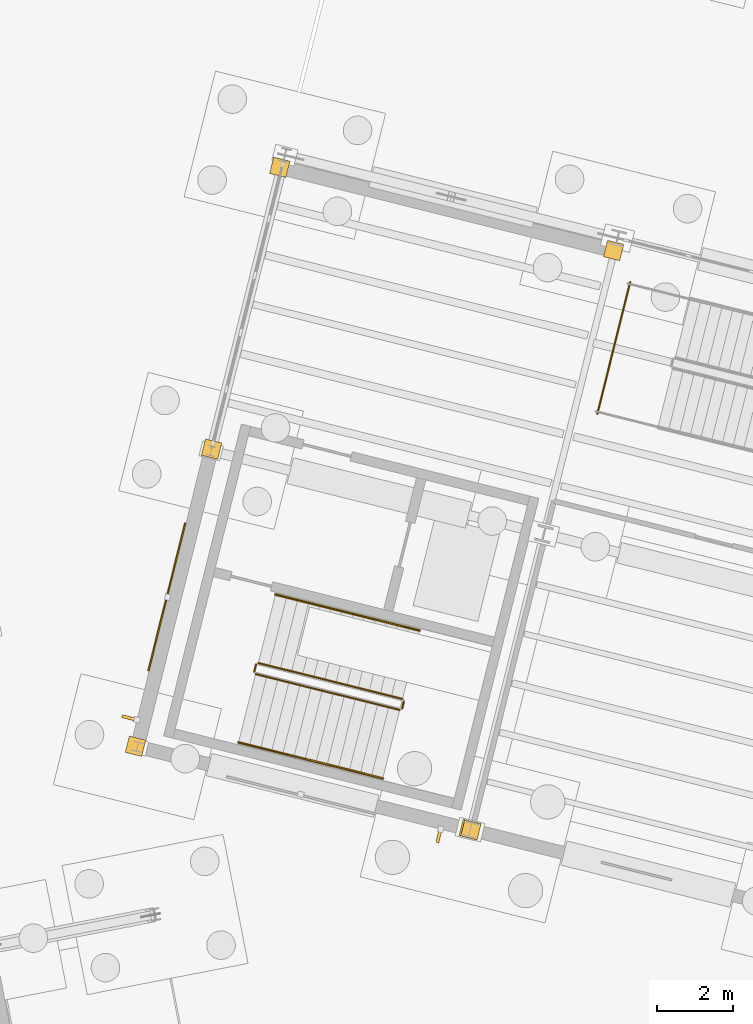
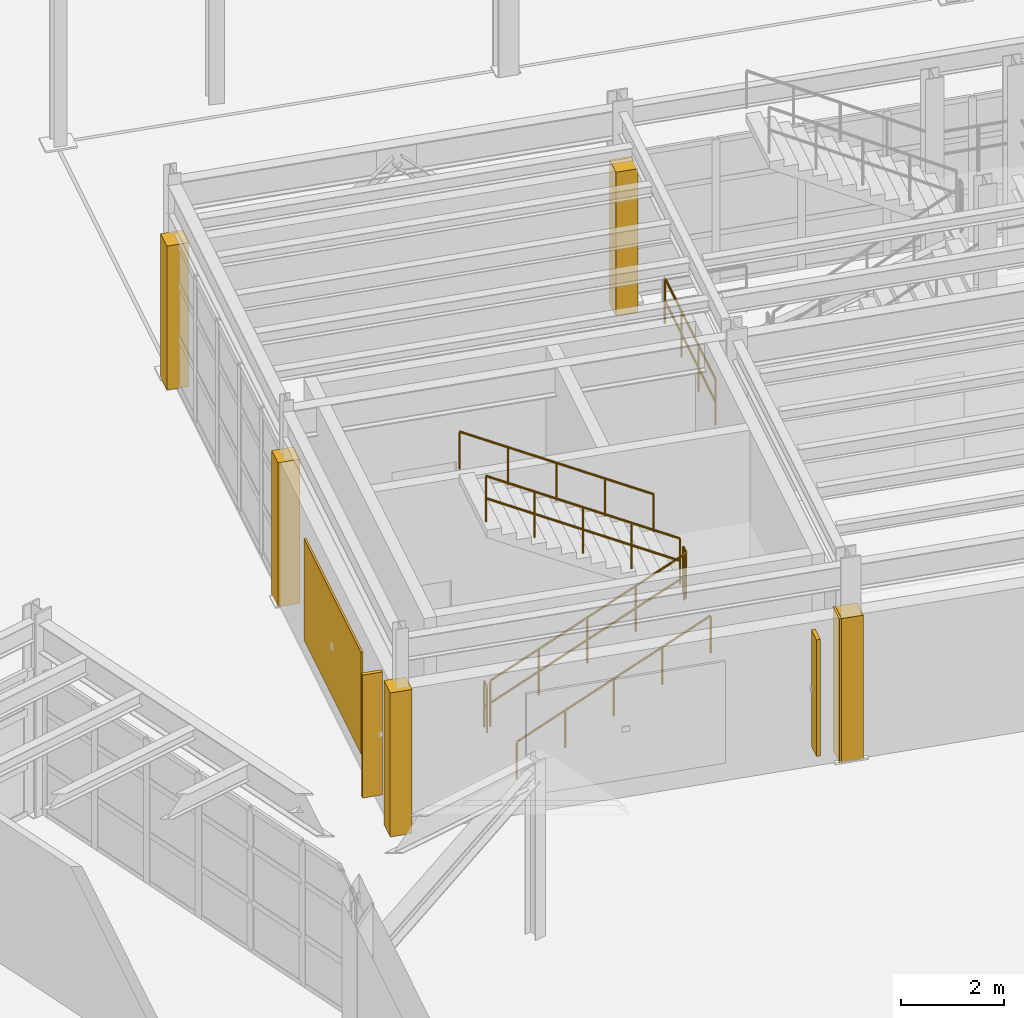
# One storey, part 100 of 108: 7 coverings, 7 railings, 2 shading devices.
"""IFC4 building model written with IfcOpenShell, lengths in metres."""

from ifc_helpers import new_model, si_unit, direction, frame, origin, origin_2d, place, context, subcontext, project, spatial, rectangle, circle, extrude, material, layer, layer_set, type_object, element, save


model = new_model("IFC4")

# Units and contexts
model_context = context("Model", 3, precision=1e-05, world=origin(), true_north=direction((0.0, 1.0)))
body_context = subcontext(model_context, "Body", "Model", "MODEL_VIEW")
ifc_project = project(units=[si_unit("LENGTHUNIT", "METRE"), si_unit("AREAUNIT", "SQUARE_METRE"), si_unit("VOLUMEUNIT", "CUBIC_METRE"), si_unit("PLANEANGLEUNIT", "RADIAN"), si_unit("MASSUNIT", "GRAM", prefix="KILO")], contexts=[model_context])

# Site, building, storey
site_placement = place(None, origin())
site = spatial("IfcSite", under=ifc_project, at=site_placement, CompositionType="ELEMENT")
building_placement = place(site_placement, origin())
building = spatial("IfcBuilding", under=site, at=building_placement, Name="Vireo Bluff Cable Station", CompositionType="ELEMENT")
storey_placement = place(building_placement, origin())
storey = spatial("IfcBuildingStorey", under=building, at=storey_placement, Name="L00", CompositionType="ELEMENT", Elevation=0.0)

# Coverings
ifc_material_1 = material(Name="Standing-Seam Titanium-Zinc Cladding")
ifc_layer_1 = layer(ifc_material_1, 0.0400390625, Name="Standing-Seam Titanium-Zinc Cladding")
ifc_layer_set_1 = layer_set([ifc_layer_1], Name="Standing-Seam Titanium-Zinc Cladding")
covering_type_1 = type_object("IfcCoveringType", Name="CLADDING-ZINC-40", PredefinedType="CLADDING", material=ifc_layer_set_1)
covering_placement = place(storey_placement, frame((54.773681640625, 41.929443359375, 0.449951171875), z_axis=(0.0, 0.0, 1.0), x_axis=(0.241921826573, 0.970295743486, 0.0)))
element("IfcCovering", 1, at=covering_placement, inside=storey, type_object=covering_type_1, Name="V1 L00 ribbed zinc cladding panel 2", PredefinedType="CLADDING", context=body_context, shape_type="SweptSolid", body=[
    extrude(rectangle(XDim=4.0, YDim=0.0400390625, at=origin_2d()), origin(), (0.0, 0.0, 1.0), 2.39990234375),
])
ifc_material_2 = material(Name="Precast concrete f'c 45 MPa", Category="concrete")
ifc_layer_2 = layer(ifc_material_2, 0.0400390625, Name="Precast concrete f'c 45 MPa")
ifc_layer_set_2 = layer_set([ifc_layer_2], Name="Precast concrete f'c 45 MPa")
covering_type_2 = type_object("IfcCoveringType", Name="COL-CLOSURE-WRAP", PredefinedType="CLADDING", material=ifc_layer_set_2)
for number, where, z_axis, x_axis, name in (
    (2, (62.75439453125, 35.817138671875, 0.0), (0.0, 0.0, 1.0), (0.970295726276, -0.2419218956, 0.0), "V1 L00 column pocket closure"),
    (3, (62.7109375, 35.828125, 0.0), (0.0, 0.0, 1.0), (0.970295726276, -0.2419218956, 0.0), "V1 L00 column pocket closure"),
    (4, (53.950927734375, 38.01220703125, 0.0), (0.0, 0.0, 1.0), (0.970295726276, -0.2419218956, 0.0), "V1 L00 column pocket closure"),
    (5, (55.947265625, 45.810302734375, 0.0), (0.0, 0.0, 1.0), (0.970295726276, -0.2419218956, 0.0), "V1 L00 column pocket closure"),
    (6, (57.739013671875, 53.207275390625, 0.0), (0.0, 0.0, 1.0), (0.970295726276, -0.2419218956, 0.0), "V1 L00 column pocket closure"),
    (7, (66.499267578125, 51.02294921875, 0.0), (0.0, 0.0, 1.0), (0.970295726276, -0.2419218956, 0.0), "V1 L00 column pocket closure"),
):
    element("IfcCovering", number, at=place(storey_placement, frame(where, z_axis=z_axis, x_axis=x_axis)), inside=storey, type_object=covering_type_2, Name=name, PredefinedType="CLADDING", context=body_context, shape_type="SweptSolid", body=[
        extrude(rectangle(XDim=0.43994140625, YDim=0.43994140625, at=origin_2d()), origin(), (0.0, 0.0, 1.0), 3.39990234375),
    ])

# Shading devices
ifc_material_3 = material(Name="Extruded Terracotta Solar Fin", Category="masonry")
shading_device_type_1 = type_object("IfcShadingDeviceType", Name="SOLARFIN-360X2750", PredefinedType="SHUTTER", material=ifc_material_3)
shading_device_1_placement = place(storey_placement, frame((61.916748046875, 35.660400390625, 0.47509765625), z_axis=(0.0, 0.0, 1.0), x_axis=(-0.970295730384, 0.241921879122, 0.0)))
element("IfcShadingDevice", 8, at=shading_device_1_placement, inside=storey, type_object=shading_device_type_1, Name="V1 L00 solar brise-soleil fin 1", PredefinedType="SHUTTER", context=body_context, shape_type="SweptSolid", body=[
    extrude(rectangle(XDim=0.080078125, YDim=0.360107421875, at=origin_2d()), origin(), (0.0, 0.0, 1.0), 2.75),
])
shading_device_type_2 = type_object("IfcShadingDeviceType", Name="SOLARFIN-400X2900", PredefinedType="SHUTTER", material=ifc_material_3)
shading_device_2_placement = place(storey_placement, frame((53.7958984375, 38.751708984375, 0.400146484375), z_axis=(0.0, 0.0, 1.0), x_axis=(0.241921826573, 0.970295743486, 0.0)))
element("IfcShadingDevice", 9, at=shading_device_2_placement, inside=storey, type_object=shading_device_type_2, Name="V1 L00 solar brise-soleil fin 2", PredefinedType="SHUTTER", context=body_context, shape_type="SweptSolid", body=[
    extrude(rectangle(XDim=0.080078125, YDim=0.39990234375, at=origin_2d()), origin(), (0.0, 0.0, 1.0), 2.89990234375),
])

# Railings
ifc_material_4 = material(Name="Stainless Steel 316", Category="steel")
railing_type_1 = type_object("IfcRailingType", Name="STAIR-GUARD-1100", PredefinedType="GUARDRAIL", material=ifc_material_4)
railing_1_placement = place(storey_placement, frame((57.103271484375, 39.90576171875, 0.17138671875)))
element("IfcRailing", 10, at=railing_1_placement, inside=storey, type_object=railing_type_1, Name="L00 ST-02 stair guard 1", PredefinedType="GUARDRAIL", context=body_context, shape_type="SweptSolid", body=[
    extrude(circle(Radius=0.02392578125, at=origin_2d()), frame((0.0, 0.0, 1.076171875), z_axis=(0.842464863979, -0.210018337704, 0.496130276026), x_axis=(0.241887473922, 0.970304307916, 0.0)), (0.0, 0.0, 1.0), 4.49169921875),
    extrude(circle(Radius=0.02392578125, at=origin_2d()), frame((0.0, 0.0, 0.550048828125), z_axis=(0.842464863979, -0.210018337704, 0.496130276026), x_axis=(0.241887473922, 0.970304307916, 0.0)), (0.0, 0.0, 1.0), 4.49169921875),
    extrude(circle(Radius=0.02099609375, at=origin_2d()), origin(), (0.0, 0.0, 1.0), 1.052001953125),
    extrude(circle(Radius=0.02099609375, at=origin_2d()), frame((0.946044921875, -0.23583984375, 0.55712890625)), (0.0, 0.0, 1.0), 1.052001953125),
    extrude(circle(Radius=0.02099609375, at=origin_2d()), frame((1.89208984375, -0.4716796875, 1.1142578125)), (0.0, 0.0, 1.0), 1.052001953125),
    extrude(circle(Radius=0.02099609375, at=origin_2d()), frame((2.838134765625, -0.70751953125, 1.67138671875)), (0.0, 0.0, 1.0), 1.052001953125),
    extrude(circle(Radius=0.02099609375, at=origin_2d()), frame((3.7841796875, -0.943359375, 2.228515625)), (0.0, 0.0, 1.0), 1.052001953125),
])
railing_2_placement = place(storey_placement, frame((60.947998046875, 38.998779296875, 2.39990234375)))
element("IfcRailing", 11, at=railing_2_placement, inside=storey, type_object=railing_type_1, Name="L00 ST-02 stair guard 2", PredefinedType="GUARDRAIL", context=body_context, shape_type="SweptSolid", body=[
    extrude(circle(Radius=0.02392578125, at=origin_2d()), frame((0.0, 0.0, 1.076171875), z_axis=(0.241673946692, 0.970357513234, 0.0), x_axis=(-0.970357513234, 0.241673946692, 0.0)), (0.0, 0.0, 1.0), 0.199951171875),
    extrude(circle(Radius=0.02392578125, at=origin_2d()), frame((0.0, 0.0, 0.550048828125), z_axis=(0.241673946692, 0.970357513234, 0.0), x_axis=(-0.970357513234, 0.241673946692, 0.0)), (0.0, 0.0, 1.0), 0.199951171875),
    extrude(circle(Radius=0.02099609375, at=origin_2d()), origin(), (0.0, 0.0, 1.0), 1.052001953125),
    extrude(circle(Radius=0.02099609375, at=origin_2d()), frame((0.04833984375, 0.194091796875, 0.0)), (0.0, 0.0, 1.0), 1.052001953125),
])
railing_3_placement = place(storey_placement, frame((60.9599609375, 39.25341796875, 2.571533203125)))
element("IfcRailing", 12, at=railing_3_placement, inside=storey, type_object=railing_type_1, Name="L00 ST-02 stair guard 3", PredefinedType="GUARDRAIL", context=body_context, shape_type="SweptSolid", body=[
    extrude(circle(Radius=0.02392578125, at=origin_2d()), frame((0.0, 0.0, 1.076171875), z_axis=(-0.842455246132, 0.210070292019, 0.496124612044), x_axis=(-0.241946410147, -0.970289613784, 0.0)), (0.0, 0.0, 1.0), 4.491943359375),
    extrude(circle(Radius=0.02392578125, at=origin_2d()), frame((0.0, 0.0, 0.550048828125), z_axis=(-0.842455246132, 0.210070292019, 0.496124612044), x_axis=(-0.241946410147, -0.970289613784, 0.0)), (0.0, 0.0, 1.0), 4.491943359375),
    extrude(circle(Radius=0.02099609375, at=origin_2d()), origin(), (0.0, 0.0, 1.0), 1.052001953125),
    extrude(circle(Radius=0.02099609375, at=origin_2d()), frame((-0.946044921875, 0.23583984375, 0.55712890625)), (0.0, 0.0, 1.0), 1.052001953125),
    extrude(circle(Radius=0.02099609375, at=origin_2d()), frame((-1.89208984375, 0.4716796875, 1.1142578125)), (0.0, 0.0, 1.0), 1.052001953125),
    extrude(circle(Radius=0.02099609375, at=origin_2d()), frame((-2.838134765625, 0.707763671875, 1.67138671875)), (0.0, 0.0, 1.0), 1.052001953125),
    extrude(circle(Radius=0.02099609375, at=origin_2d()), frame((-3.7841796875, 0.943603515625, 2.228515625)), (0.0, 0.0, 1.0), 1.052001953125),
])
railing_4_placement = place(storey_placement, frame((57.06689453125, 39.966552734375, 0.0)))
element("IfcRailing", 13, at=railing_4_placement, inside=storey, type_object=railing_type_1, Name="L00 ST-02 stair guard 4", PredefinedType="GUARDRAIL", context=body_context, shape_type="SweptSolid", body=[
    extrude(circle(Radius=0.02392578125, at=origin_2d()), frame((0.0, 0.0, 1.076171875), z_axis=(0.241673946692, 0.970357513234, 0.0), x_axis=(-0.970357513234, 0.241673946692, 0.0)), (0.0, 0.0, 1.0), 0.199951171875),
    extrude(circle(Radius=0.02392578125, at=origin_2d()), frame((0.0, 0.0, 0.550048828125), z_axis=(0.241673946692, 0.970357513234, 0.0), x_axis=(-0.970357513234, 0.241673946692, 0.0)), (0.0, 0.0, 1.0), 0.199951171875),
    extrude(circle(Radius=0.02099609375, at=origin_2d()), origin(), (0.0, 0.0, 1.0), 1.052001953125),
    extrude(circle(Radius=0.02099609375, at=origin_2d()), frame((0.04833984375, 0.194091796875, 0.0)), (0.0, 0.0, 1.0), 1.052001953125),
])
railing_5_placement = place(storey_placement, frame((66.07275390625, 46.739013671875, 0.0)))
element("IfcRailing", 14, at=railing_5_placement, inside=storey, type_object=railing_type_1, Name="L00 ST-10 stair guard 10", PredefinedType="GUARDRAIL", context=body_context, shape_type="SweptSolid", body=[
    extrude(circle(Radius=0.02392578125, at=origin_2d()), frame((0.0, 0.0, 1.076171875), z_axis=(0.241954658005, 0.970287557103, 0.0), x_axis=(-0.970287557103, 0.241954658005, 0.0)), (0.0, 0.0, 1.0), 3.559814453125),
    extrude(circle(Radius=0.02392578125, at=origin_2d()), frame((0.0, 0.0, 0.550048828125), z_axis=(0.241954658005, 0.970287557103, 0.0), x_axis=(-0.970287557103, 0.241954658005, 0.0)), (0.0, 0.0, 1.0), 3.559814453125),
    extrude(circle(Radius=0.02099609375, at=origin_2d()), origin(), (0.0, 0.0, 1.0), 1.052001953125),
    extrude(circle(Radius=0.02099609375, at=origin_2d()), frame((0.287109375, 1.1513671875, 0.0)), (0.0, 0.0, 1.0), 1.052001953125),
    extrude(circle(Radius=0.02099609375, at=origin_2d()), frame((0.57421875, 2.302734375, 0.0)), (0.0, 0.0, 1.0), 1.052001953125),
    extrude(circle(Radius=0.02099609375, at=origin_2d()), frame((0.861328125, 3.4541015625, 0.0)), (0.0, 0.0, 1.0), 1.052001953125),
])
railing_type_2 = type_object("IfcRailingType", Name="STAIR-HANDRAIL-900", PredefinedType="HANDRAIL", material=ifc_material_4)
railing_6_placement = place(storey_placement, frame((56.65576171875, 38.11083984375, 0.17138671875)))
element("IfcRailing", 15, at=railing_6_placement, inside=storey, type_object=railing_type_2, Name="L00 ST-02 stair handrail 1", PredefinedType="HANDRAIL", context=body_context, shape_type="SweptSolid", body=[
    extrude(circle(Radius=0.02392578125, at=origin_2d()), frame((0.0, 0.0, 0.8759765625), z_axis=(0.842455246132, -0.210070292019, 0.496124612044), x_axis=(0.241946410147, 0.970289613784, 0.0)), (0.0, 0.0, 1.0), 4.491943359375),
    extrude(circle(Radius=0.02099609375, at=origin_2d()), origin(), (0.0, 0.0, 1.0), 0.851806640625),
    extrude(circle(Radius=0.02099609375, at=origin_2d()), frame((0.946044921875, -0.23583984375, 0.55712890625)), (0.0, 0.0, 1.0), 0.851806640625),
    extrude(circle(Radius=0.02099609375, at=origin_2d()), frame((1.89208984375, -0.4716796875, 1.1142578125)), (0.0, 0.0, 1.0), 0.851806640625),
    extrude(circle(Radius=0.02099609375, at=origin_2d()), frame((2.838134765625, -0.707763671875, 1.67138671875)), (0.0, 0.0, 1.0), 0.851806640625),
    extrude(circle(Radius=0.02099609375, at=origin_2d()), frame((3.7841796875, -0.943603515625, 2.228515625)), (0.0, 0.0, 1.0), 0.851806640625),
])
railing_7_placement = place(storey_placement, frame((61.407470703125, 41.048583984375, 2.571533203125)))
element("IfcRailing", 16, at=railing_7_placement, inside=storey, type_object=railing_type_2, Name="L00 ST-02 stair handrail 2", PredefinedType="HANDRAIL", context=body_context, shape_type="SweptSolid", body=[
    extrude(circle(Radius=0.02392578125, at=origin_2d()), frame((0.0, 0.0, 0.8759765625), z_axis=(-0.842464863979, 0.210018337704, 0.496130276026), x_axis=(-0.241887473922, -0.970304307916, 0.0)), (0.0, 0.0, 1.0), 4.49169921875),
    extrude(circle(Radius=0.02099609375, at=origin_2d()), origin(), (0.0, 0.0, 1.0), 0.851806640625),
    extrude(circle(Radius=0.02099609375, at=origin_2d()), frame((-0.946044921875, 0.23583984375, 0.55712890625)), (0.0, 0.0, 1.0), 0.851806640625),
    extrude(circle(Radius=0.02099609375, at=origin_2d()), frame((-1.89208984375, 0.4716796875, 1.1142578125)), (0.0, 0.0, 1.0), 0.851806640625),
    extrude(circle(Radius=0.02099609375, at=origin_2d()), frame((-2.838134765625, 0.70751953125, 1.67138671875)), (0.0, 0.0, 1.0), 0.851806640625),
    extrude(circle(Radius=0.02099609375, at=origin_2d()), frame((-3.7841796875, 0.943359375, 2.228515625)), (0.0, 0.0, 1.0), 0.851806640625),
])

save(model, "model.ifc")
